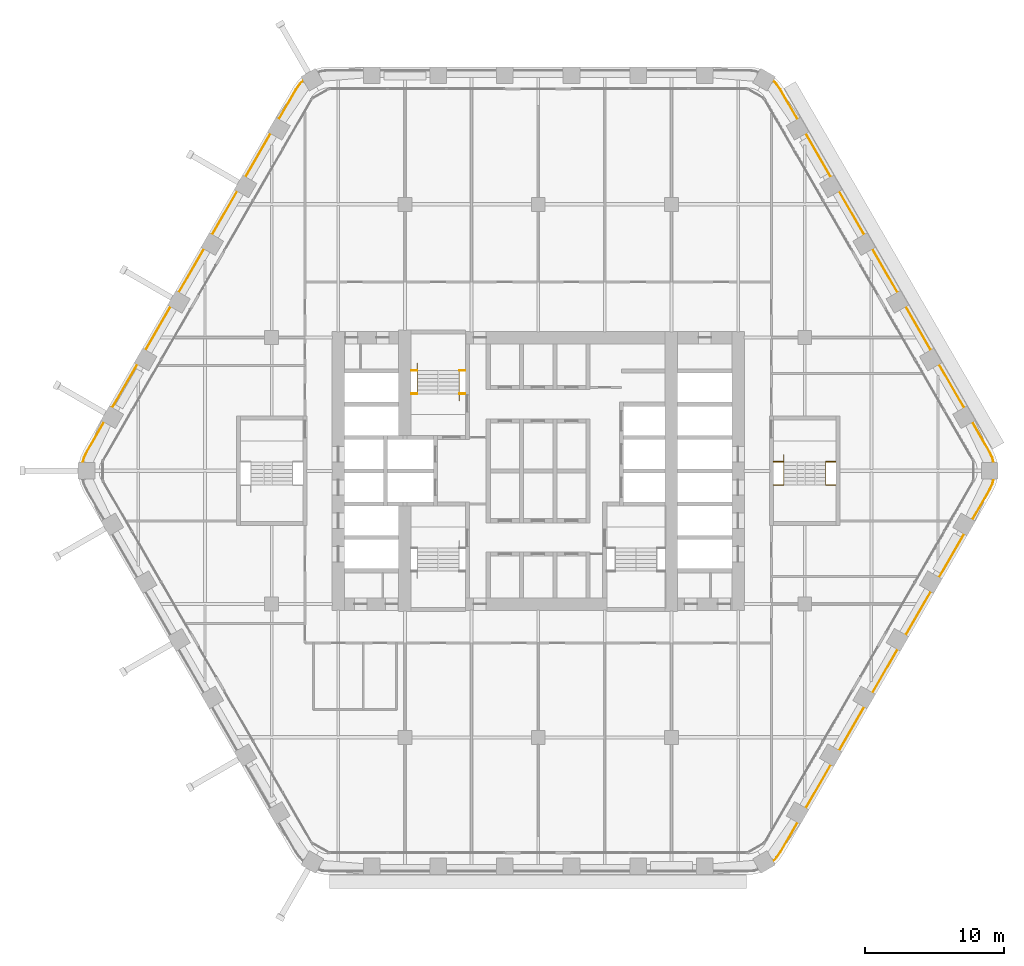
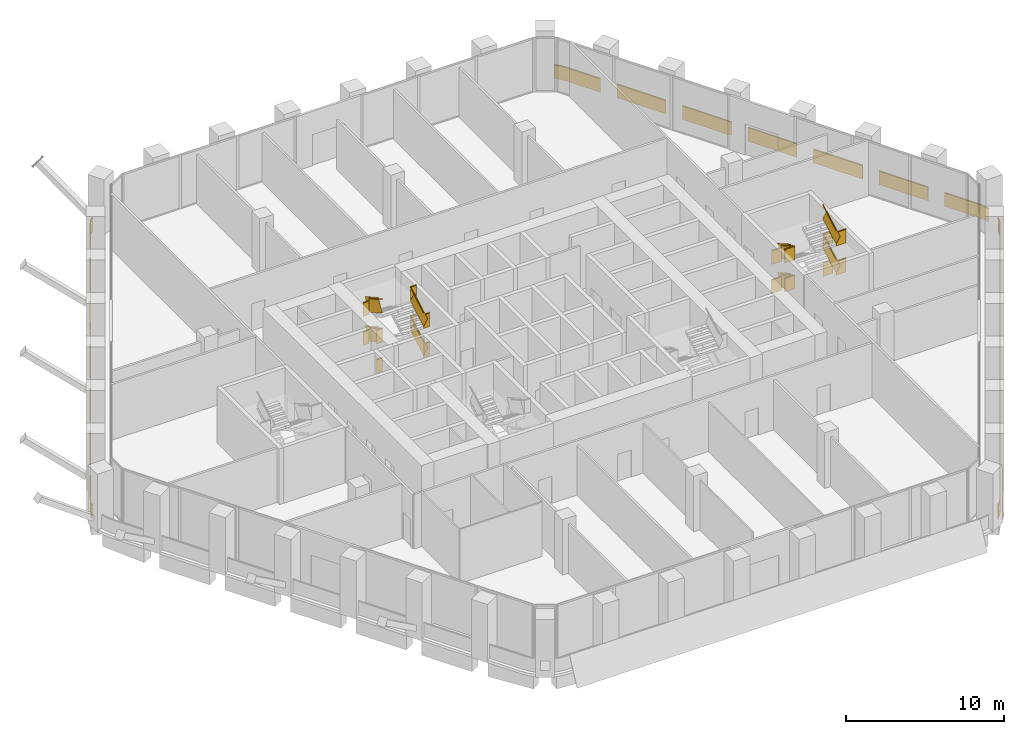
# One storey, part 26 of 27: 7 railings.
"""IFC4 building model written with IfcOpenShell, lengths in metres."""

from ifc_helpers import new_model, si_unit, direction, frame, frame_2d, origin, origin_2d, place, context, subcontext, project, spatial, rectangle, extrude, material, type_object, element, save


model = new_model("IFC4")

# Units and contexts
model_context = context("Model", 3, precision=1e-05, world=origin(), true_north=direction((0.0, 1.0)))
body_context = subcontext(model_context, "Body", "Model", "MODEL_VIEW")
ifc_project = project(units=[si_unit("LENGTHUNIT", "METRE"), si_unit("AREAUNIT", "SQUARE_METRE"), si_unit("VOLUMEUNIT", "CUBIC_METRE"), si_unit("PLANEANGLEUNIT", "RADIAN"), si_unit("MASSUNIT", "GRAM", prefix="KILO")], contexts=[model_context])

# Site, building, storey
site_placement = place(None, origin())
site = spatial("IfcSite", under=ifc_project, at=site_placement, CompositionType="ELEMENT")
building_placement = place(site_placement, origin())
building = spatial("IfcBuilding", under=site, at=building_placement, Name="Kolab Exchange Tower", CompositionType="ELEMENT")
storey_placement = place(building_placement, frame((0.0, 0.0, 118.39990234375)))
storey = spatial("IfcBuildingStorey", under=building, at=storey_placement, Name="L23", CompositionType="ELEMENT", Elevation=118.39990234375)

# Railings
ifc_material_1 = material(Name="Stainless steel 316", Category="steel")
railing_type_1 = type_object("IfcRailingType", Name="GUARD 1100", PredefinedType="GUARDRAIL", material=ifc_material_1)
railing_1_placement = place(storey_placement, frame((-9.14990234375, 5.550048828125, 0.0)))
element("IfcRailing", 1, at=railing_1_placement, inside=storey, type_object=railing_type_1, Name="Guard ST1", PredefinedType="GUARDRAIL", context=body_context, shape_type="SweptSolid", body=[
    extrude(rectangle(XDim=0.05, YDim=0.05, at=origin_2d()), frame((0.0, 0.0, 1.0751953125), z_axis=(1.0, 0.0, 0.0), x_axis=(0.0, 1.0, 0.0)), (0.0, 0.0, 1.0), 0.43994140625),
    extrude(rectangle(XDim=0.012, YDim=1.05009765625, at=frame_2d((0.0, 0.525146484375))), frame((0.0, 0.0, 0.0), z_axis=(1.0, 0.0, 0.0), x_axis=(0.0, 1.0, 0.0)), (0.0, 0.0, 1.0), 0.43994140625),
    extrude(rectangle(XDim=0.05, YDim=0.05, at=origin_2d()), frame((3.4599609375, 0.0, 1.0751953125), z_axis=(1.0, 0.0, 0.0), x_axis=(0.0, 1.0, 0.0)), (0.0, 0.0, 1.0), 0.43994140625),
    extrude(rectangle(XDim=0.012, YDim=1.05009765625, at=frame_2d((0.0, 0.525146484375))), frame((3.4599609375, 0.0, 0.0), z_axis=(1.0, 0.0, 0.0), x_axis=(0.0, 1.0, 0.0)), (0.0, 0.0, 1.0), 0.43994140625),
    extrude(rectangle(XDim=0.05, YDim=0.05, at=origin_2d()), frame((0.0, 1.679931640625, 2.2001953125), z_axis=(1.0, 0.0, 0.0), x_axis=(0.0, 1.0, 0.0)), (0.0, 0.0, 1.0), 0.43994140625),
    extrude(rectangle(XDim=0.012, YDim=1.05009765625, at=frame_2d((0.0, 0.525146484375))), frame((0.0, 1.679931640625, 1.125), z_axis=(1.0, 0.0, 0.0), x_axis=(0.0, 1.0, 0.0)), (0.0, 0.0, 1.0), 0.43994140625),
    extrude(rectangle(XDim=0.05, YDim=0.05, at=origin_2d()), frame((3.4599609375, 1.679931640625, 2.2001953125), z_axis=(1.0, 0.0, 0.0), x_axis=(0.0, 1.0, 0.0)), (0.0, 0.0, 1.0), 0.43994140625),
    extrude(rectangle(XDim=0.012, YDim=1.05009765625, at=frame_2d((0.0, 0.525146484375))), frame((3.4599609375, 1.679931640625, 1.125), z_axis=(1.0, 0.0, 0.0), x_axis=(0.0, 1.0, 0.0)), (0.0, 0.0, 1.0), 0.43994140625),
    extrude(rectangle(XDim=0.05, YDim=0.05, at=origin_2d()), frame((0.0, 0.0, 3.3251953125), z_axis=(1.0, 0.0, 0.0), x_axis=(0.0, 1.0, 0.0)), (0.0, 0.0, 1.0), 0.43994140625),
    extrude(rectangle(XDim=0.012, YDim=1.05009765625, at=frame_2d((0.0, 0.525146484375))), frame((0.0, 0.0, 2.25), z_axis=(1.0, 0.0, 0.0), x_axis=(0.0, 1.0, 0.0)), (0.0, 0.0, 1.0), 0.43994140625),
    extrude(rectangle(XDim=0.05, YDim=0.05, at=origin_2d()), frame((3.4599609375, 0.0, 3.3251953125), z_axis=(1.0, 0.0, 0.0), x_axis=(0.0, 1.0, 0.0)), (0.0, 0.0, 1.0), 0.43994140625),
    extrude(rectangle(XDim=0.012, YDim=1.05009765625, at=frame_2d((0.0, 0.525146484375))), frame((3.4599609375, 0.0, 2.25), z_axis=(1.0, 0.0, 0.0), x_axis=(0.0, 1.0, 0.0)), (0.0, 0.0, 1.0), 0.43994140625),
    extrude(rectangle(XDim=0.05, YDim=0.05, at=origin_2d()), frame((0.0, 1.679931640625, 4.4501953125), z_axis=(1.0, 0.0, 0.0), x_axis=(0.0, 1.0, 0.0)), (0.0, 0.0, 1.0), 0.43994140625),
    extrude(rectangle(XDim=0.012, YDim=1.05009765625, at=frame_2d((0.0, 0.525146484375))), frame((0.0, 1.679931640625, 3.375), z_axis=(1.0, 0.0, 0.0), x_axis=(0.0, 1.0, 0.0)), (0.0, 0.0, 1.0), 0.43994140625),
    extrude(rectangle(XDim=0.05, YDim=0.05, at=origin_2d()), frame((3.4599609375, 1.679931640625, 4.4501953125), z_axis=(1.0, 0.0, 0.0), x_axis=(0.0, 1.0, 0.0)), (0.0, 0.0, 1.0), 0.43994140625),
    extrude(rectangle(XDim=0.012, YDim=1.05009765625, at=frame_2d((0.0, 0.525146484375))), frame((3.4599609375, 1.679931640625, 3.375), z_axis=(1.0, 0.0, 0.0), x_axis=(0.0, 1.0, 0.0)), (0.0, 0.0, 1.0), 0.43994140625),
])
railing_2_placement = place(storey_placement, frame((-5.68994140625, 5.550048828125, 0.160888671875)))
element("IfcRailing", 2, at=railing_2_placement, inside=storey, type_object=railing_type_1, Name="Handrail guard ST1", PredefinedType="GUARDRAIL", context=body_context, shape_type="SweptSolid", body=[
    extrude(rectangle(XDim=0.05, YDim=0.05, at=origin_2d()), frame((0.0, 0.0, 1.0751953125), z_axis=(0.0, 0.867318599139, 0.497753400378), x_axis=(-1.0, 0.0, 0.0)), (0.0, 0.0, 1.0), 1.93701171875),
    extrude(rectangle(XDim=0.012, YDim=1.05009765625, at=frame_2d((0.0, 0.525146484375))), frame((0.0, 0.0, 0.0), z_axis=(0.0, 0.867318599139, 0.497753400378), x_axis=(-1.0, 0.0, 0.0)), (0.0, 0.0, 1.0), 1.93701171875),
    extrude(rectangle(XDim=0.05, YDim=0.05, at=origin_2d()), frame((-3.02001953125, 1.679931640625, 2.2001953125), z_axis=(0.0, -0.867318599139, 0.497753400378), x_axis=(1.0, 0.0, 0.0)), (0.0, 0.0, 1.0), 1.93701171875),
    extrude(rectangle(XDim=0.012, YDim=1.05009765625, at=frame_2d((0.0, 0.525146484375))), frame((-3.02001953125, 1.679931640625, 1.125), z_axis=(0.0, -0.867318599139, 0.497753400378), x_axis=(1.0, 0.0, 0.0)), (0.0, 0.0, 1.0), 1.93701171875),
    extrude(rectangle(XDim=0.05, YDim=0.05, at=origin_2d()), frame((0.0, 0.0, 3.3251953125), z_axis=(0.0, 0.867318599139, 0.497753400378), x_axis=(-1.0, 0.0, 0.0)), (0.0, 0.0, 1.0), 1.93701171875),
    extrude(rectangle(XDim=0.012, YDim=1.05009765625, at=frame_2d((0.0, 0.525146484375))), frame((0.0, 0.0, 2.25), z_axis=(0.0, 0.867318599139, 0.497753400378), x_axis=(-1.0, 0.0, 0.0)), (0.0, 0.0, 1.0), 1.93701171875),
    extrude(rectangle(XDim=0.05, YDim=0.05, at=origin_2d()), frame((-3.02001953125, 1.679931640625, 4.4501953125), z_axis=(0.0, -0.867318599139, 0.497753400378), x_axis=(1.0, 0.0, 0.0)), (0.0, 0.0, 1.0), 1.93701171875),
    extrude(rectangle(XDim=0.012, YDim=1.05009765625, at=frame_2d((0.0, 0.525146484375))), frame((-3.02001953125, 1.679931640625, 3.375), z_axis=(0.0, -0.867318599139, 0.497753400378), x_axis=(1.0, 0.0, 0.0)), (0.0, 0.0, 1.0), 1.93701171875),
])
railing_3_placement = place(storey_placement, frame((16.949951171875, 0.64990234375, 0.0)))
element("IfcRailing", 3, at=railing_3_placement, inside=storey, type_object=railing_type_1, Name="Guard ST4", PredefinedType="GUARDRAIL", context=body_context, shape_type="SweptSolid", body=[
    extrude(rectangle(XDim=0.05, YDim=0.05, at=origin_2d()), frame((0.0, 0.0, 1.0751953125), z_axis=(1.0, 0.0, 0.0), x_axis=(0.0, 1.0, 0.0)), (0.0, 0.0, 1.0), 0.739990234375),
    extrude(rectangle(XDim=0.012, YDim=1.05009765625, at=frame_2d((0.0, 0.525146484375))), frame((0.0, 0.0, 0.0), z_axis=(1.0, 0.0, 0.0), x_axis=(0.0, 1.0, 0.0)), (0.0, 0.0, 1.0), 0.739990234375),
    extrude(rectangle(XDim=0.05, YDim=0.05, at=origin_2d()), frame((3.760009765625, 0.0, 1.0751953125), z_axis=(1.0, 0.0, 0.0), x_axis=(0.0, 1.0, 0.0)), (0.0, 0.0, 1.0), 0.739990234375),
    extrude(rectangle(XDim=0.012, YDim=1.05009765625, at=frame_2d((0.0, 0.525146484375))), frame((3.760009765625, 0.0, 0.0), z_axis=(1.0, 0.0, 0.0), x_axis=(0.0, 1.0, 0.0)), (0.0, 0.0, 1.0), 0.739990234375),
    extrude(rectangle(XDim=0.05, YDim=0.05, at=origin_2d()), frame((0.0, -1.679931640625, 2.2001953125), z_axis=(1.0, 0.0, 0.0), x_axis=(0.0, 1.0, 0.0)), (0.0, 0.0, 1.0), 0.739990234375),
    extrude(rectangle(XDim=0.012, YDim=1.05009765625, at=frame_2d((0.0, 0.525146484375))), frame((0.0, -1.679931640625, 1.125), z_axis=(1.0, 0.0, 0.0), x_axis=(0.0, 1.0, 0.0)), (0.0, 0.0, 1.0), 0.739990234375),
    extrude(rectangle(XDim=0.05, YDim=0.05, at=origin_2d()), frame((3.760009765625, -1.679931640625, 2.2001953125), z_axis=(1.0, 0.0, 0.0), x_axis=(0.0, 1.0, 0.0)), (0.0, 0.0, 1.0), 0.739990234375),
    extrude(rectangle(XDim=0.012, YDim=1.05009765625, at=frame_2d((0.0, 0.525146484375))), frame((3.760009765625, -1.679931640625, 1.125), z_axis=(1.0, 0.0, 0.0), x_axis=(0.0, 1.0, 0.0)), (0.0, 0.0, 1.0), 0.739990234375),
    extrude(rectangle(XDim=0.05, YDim=0.05, at=origin_2d()), frame((0.0, 0.0, 3.3251953125), z_axis=(1.0, 0.0, 0.0), x_axis=(0.0, 1.0, 0.0)), (0.0, 0.0, 1.0), 0.739990234375),
    extrude(rectangle(XDim=0.012, YDim=1.05009765625, at=frame_2d((0.0, 0.525146484375))), frame((0.0, 0.0, 2.25), z_axis=(1.0, 0.0, 0.0), x_axis=(0.0, 1.0, 0.0)), (0.0, 0.0, 1.0), 0.739990234375),
    extrude(rectangle(XDim=0.05, YDim=0.05, at=origin_2d()), frame((3.760009765625, 0.0, 3.3251953125), z_axis=(1.0, 0.0, 0.0), x_axis=(0.0, 1.0, 0.0)), (0.0, 0.0, 1.0), 0.739990234375),
    extrude(rectangle(XDim=0.012, YDim=1.05009765625, at=frame_2d((0.0, 0.525146484375))), frame((3.760009765625, 0.0, 2.25), z_axis=(1.0, 0.0, 0.0), x_axis=(0.0, 1.0, 0.0)), (0.0, 0.0, 1.0), 0.739990234375),
    extrude(rectangle(XDim=0.05, YDim=0.05, at=origin_2d()), frame((0.0, -1.679931640625, 4.4501953125), z_axis=(1.0, 0.0, 0.0), x_axis=(0.0, 1.0, 0.0)), (0.0, 0.0, 1.0), 0.739990234375),
    extrude(rectangle(XDim=0.012, YDim=1.05009765625, at=frame_2d((0.0, 0.525146484375))), frame((0.0, -1.679931640625, 3.375), z_axis=(1.0, 0.0, 0.0), x_axis=(0.0, 1.0, 0.0)), (0.0, 0.0, 1.0), 0.739990234375),
    extrude(rectangle(XDim=0.05, YDim=0.05, at=origin_2d()), frame((3.760009765625, -1.679931640625, 4.4501953125), z_axis=(1.0, 0.0, 0.0), x_axis=(0.0, 1.0, 0.0)), (0.0, 0.0, 1.0), 0.739990234375),
    extrude(rectangle(XDim=0.012, YDim=1.05009765625, at=frame_2d((0.0, 0.525146484375))), frame((3.760009765625, -1.679931640625, 3.375), z_axis=(1.0, 0.0, 0.0), x_axis=(0.0, 1.0, 0.0)), (0.0, 0.0, 1.0), 0.739990234375),
])
railing_4_placement = place(storey_placement, frame((17.68994140625, 0.64990234375, 0.160888671875)))
element("IfcRailing", 4, at=railing_4_placement, inside=storey, type_object=railing_type_1, Name="Handrail guard ST4", PredefinedType="GUARDRAIL", context=body_context, shape_type="SweptSolid", body=[
    extrude(rectangle(XDim=0.05, YDim=0.05, at=origin_2d()), frame((0.0, 0.0, 1.0751953125), z_axis=(0.0, -0.867318599139, 0.497753400378), x_axis=(1.0, 0.0, 0.0)), (0.0, 0.0, 1.0), 1.93701171875),
    extrude(rectangle(XDim=0.012, YDim=1.05009765625, at=frame_2d((0.0, 0.525146484375))), frame((0.0, 0.0, 0.0), z_axis=(0.0, -0.867318599139, 0.497753400378), x_axis=(1.0, 0.0, 0.0)), (0.0, 0.0, 1.0), 1.93701171875),
    extrude(rectangle(XDim=0.05, YDim=0.05, at=origin_2d()), frame((3.02001953125, -1.679931640625, 2.2001953125), z_axis=(0.0, 0.867318599139, 0.497753400378), x_axis=(-1.0, 0.0, 0.0)), (0.0, 0.0, 1.0), 1.93701171875),
    extrude(rectangle(XDim=0.012, YDim=1.05009765625, at=frame_2d((0.0, 0.525146484375))), frame((3.02001953125, -1.679931640625, 1.125), z_axis=(0.0, 0.867318599139, 0.497753400378), x_axis=(-1.0, 0.0, 0.0)), (0.0, 0.0, 1.0), 1.93701171875),
    extrude(rectangle(XDim=0.05, YDim=0.05, at=origin_2d()), frame((0.0, 0.0, 3.3251953125), z_axis=(0.0, -0.867318599139, 0.497753400378), x_axis=(1.0, 0.0, 0.0)), (0.0, 0.0, 1.0), 1.93701171875),
    extrude(rectangle(XDim=0.012, YDim=1.05009765625, at=frame_2d((0.0, 0.525146484375))), frame((0.0, 0.0, 2.25), z_axis=(0.0, -0.867318599139, 0.497753400378), x_axis=(1.0, 0.0, 0.0)), (0.0, 0.0, 1.0), 1.93701171875),
    extrude(rectangle(XDim=0.05, YDim=0.05, at=origin_2d()), frame((3.02001953125, -1.679931640625, 4.4501953125), z_axis=(0.0, 0.867318599139, 0.497753400378), x_axis=(-1.0, 0.0, 0.0)), (0.0, 0.0, 1.0), 1.93701171875),
    extrude(rectangle(XDim=0.012, YDim=1.05009765625, at=frame_2d((0.0, 0.525146484375))), frame((3.02001953125, -1.679931640625, 3.375), z_axis=(0.0, 0.867318599139, 0.497753400378), x_axis=(-1.0, 0.0, 0.0)), (0.0, 0.0, 1.0), 1.93701171875),
])
ifc_material_2 = material(Name="Steel S235", Category="steel")
railing_type_2 = type_object("IfcRailingType", Name="GUARD 1100 GLASS BALUSTRADE AND STEEL TOP RAIL", PredefinedType="GUARDRAIL", material=ifc_material_2)
railing_5_placement = place(storey_placement, frame((32.81298828125, 0.593994140625, 0.0)))
element("IfcRailing", 5, at=railing_5_placement, inside=storey, type_object=railing_type_2, Name="Guard", PredefinedType="GUARDRAIL", context=body_context, shape_type="SweptSolid", body=[
    extrude(rectangle(XDim=0.05, YDim=0.05, at=origin_2d()), frame((0.0, 0.0, 1.0751953125), z_axis=(-0.259144041577, 0.965838685141, 0.0), x_axis=(-0.965838685141, -0.259144041577, 0.0)), (0.0, 0.0, 1.0), 0.35888671875),
    extrude(rectangle(XDim=0.012, YDim=1.05009765625, at=frame_2d((0.0, 0.525146484375))), frame((0.0, 0.0, 0.0), z_axis=(-0.259144041577, 0.965838685141, 0.0), x_axis=(-0.965838685141, -0.259144041577, 0.0)), (0.0, 0.0, 1.0), 0.35888671875),
    extrude(rectangle(XDim=0.05, YDim=0.05, at=origin_2d()), frame((-0.093017578125, 0.3466796875, 1.0751953125), z_axis=(-0.422383329074, 0.906417300872, 0.0), x_axis=(-0.906417300872, -0.422383329074, 0.0)), (0.0, 0.0, 1.0), 0.479248046875),
    extrude(rectangle(XDim=0.012, YDim=1.05009765625, at=frame_2d((0.0, 0.525146484375))), frame((-0.093017578125, 0.3466796875, 0.0), z_axis=(-0.422383329074, 0.906417300872, 0.0), x_axis=(-0.906417300872, -0.422383329074, 0.0)), (0.0, 0.0, 1.0), 0.479248046875),
    extrude(rectangle(XDim=0.05, YDim=0.05, at=origin_2d()), frame((-0.29541015625, 0.781005859375, 1.0751953125), z_axis=(-0.500064973171, 0.865987888257, 0.0), x_axis=(-0.865987888257, -0.500064973171, 0.0)), (0.0, 0.0, 1.0), 2.468017578125),
    extrude(rectangle(XDim=0.012, YDim=1.05009765625, at=frame_2d((0.0, 0.525146484375))), frame((-0.29541015625, 0.781005859375, 0.0), z_axis=(-0.500064973171, 0.865987888257, 0.0), x_axis=(-0.865987888257, -0.500064973171, 0.0)), (0.0, 0.0, 1.0), 2.468017578125),
    extrude(rectangle(XDim=0.05, YDim=0.05, at=origin_2d()), frame((-2.12939453125, 3.95751953125, 1.0751953125), z_axis=(-0.500012057535, 0.866018442252, 0.0), x_axis=(-0.866018442252, -0.500012057535, 0.0)), (0.0, 0.0, 1.0), 3.60009765625),
    extrude(rectangle(XDim=0.012, YDim=1.05009765625, at=frame_2d((0.0, 0.525146484375))), frame((-2.12939453125, 3.95751953125, 0.0), z_axis=(-0.500012057535, 0.866018442252, 0.0), x_axis=(-0.866018442252, -0.500012057535, 0.0)), (0.0, 0.0, 1.0), 3.60009765625),
    extrude(rectangle(XDim=0.05, YDim=0.05, at=origin_2d()), frame((-4.529541015625, 8.114501953125, 1.0751953125), z_axis=(-0.500012057535, 0.866018442252, 0.0), x_axis=(-0.866018442252, -0.500012057535, 0.0)), (0.0, 0.0, 1.0), 3.60009765625),
    extrude(rectangle(XDim=0.012, YDim=1.05009765625, at=frame_2d((0.0, 0.525146484375))), frame((-4.529541015625, 8.114501953125, 0.0), z_axis=(-0.500012057535, 0.866018442252, 0.0), x_axis=(-0.866018442252, -0.500012057535, 0.0)), (0.0, 0.0, 1.0), 3.60009765625),
    extrude(rectangle(XDim=0.05, YDim=0.05, at=origin_2d()), frame((-6.929443359375, 12.271484375, 1.0751953125), z_axis=(-0.500012057535, 0.866018442252, 0.0), x_axis=(-0.866018442252, -0.500012057535, 0.0)), (0.0, 0.0, 1.0), 3.60009765625),
    extrude(rectangle(XDim=0.012, YDim=1.05009765625, at=frame_2d((0.0, 0.525146484375))), frame((-6.929443359375, 12.271484375, 0.0), z_axis=(-0.500012057535, 0.866018442252, 0.0), x_axis=(-0.866018442252, -0.500012057535, 0.0)), (0.0, 0.0, 1.0), 3.60009765625),
    extrude(rectangle(XDim=0.05, YDim=0.05, at=origin_2d()), frame((-9.32958984375, 16.42822265625, 1.0751953125), z_axis=(-0.499961193289, 0.866047807691, 0.0), x_axis=(-0.866047807691, -0.499961193289, 0.0)), (0.0, 0.0, 1.0), 3.599853515625),
    extrude(rectangle(XDim=0.012, YDim=1.05009765625, at=frame_2d((0.0, 0.525146484375))), frame((-9.32958984375, 16.42822265625, 0.0), z_axis=(-0.499961193289, 0.866047807691, 0.0), x_axis=(-0.866047807691, -0.499961193289, 0.0)), (0.0, 0.0, 1.0), 3.599853515625),
    extrude(rectangle(XDim=0.05, YDim=0.05, at=origin_2d()), frame((-11.7294921875, 20.585205078125, 1.0751953125), z_axis=(-0.500012057535, 0.866018442252, 0.0), x_axis=(-0.866018442252, -0.500012057535, 0.0)), (0.0, 0.0, 1.0), 3.60009765625),
    extrude(rectangle(XDim=0.012, YDim=1.05009765625, at=frame_2d((0.0, 0.525146484375))), frame((-11.7294921875, 20.585205078125, 0.0), z_axis=(-0.500012057535, 0.866018442252, 0.0), x_axis=(-0.866018442252, -0.500012057535, 0.0)), (0.0, 0.0, 1.0), 3.60009765625),
    extrude(rectangle(XDim=0.05, YDim=0.05, at=origin_2d()), frame((-14.12939453125, 24.7421875, 1.0751953125), z_axis=(-0.500064973171, 0.865987888257, 0.0), x_axis=(-0.865987888257, -0.500064973171, 0.0)), (0.0, 0.0, 1.0), 2.468017578125),
    extrude(rectangle(XDim=0.012, YDim=1.05009765625, at=frame_2d((0.0, 0.525146484375))), frame((-14.12939453125, 24.7421875, 0.0), z_axis=(-0.500064973171, 0.865987888257, 0.0), x_axis=(-0.865987888257, -0.500064973171, 0.0)), (0.0, 0.0, 1.0), 2.468017578125),
    extrude(rectangle(XDim=0.05, YDim=0.05, at=origin_2d()), frame((-15.363525390625, 26.87939453125, 1.0751953125), z_axis=(-0.573359816273, 0.819303680624, 0.0), x_axis=(-0.819303680624, -0.573359816273, 0.0)), (0.0, 0.0, 1.0), 0.4794921875),
    extrude(rectangle(XDim=0.012, YDim=1.05009765625, at=frame_2d((0.0, 0.525146484375))), frame((-15.363525390625, 26.87939453125, 0.0), z_axis=(-0.573359816273, 0.819303680624, 0.0), x_axis=(-0.819303680624, -0.573359816273, 0.0)), (0.0, 0.0, 1.0), 0.4794921875),
    extrude(rectangle(XDim=0.05, YDim=0.05, at=origin_2d()), frame((-15.638427734375, 27.272216796875, 1.0751953125), z_axis=(-0.707106781187, 0.707106781187, 0.0), x_axis=(-0.707106781187, -0.707106781187, 0.0)), (0.0, 0.0, 1.0), 0.358642578125),
    extrude(rectangle(XDim=0.012, YDim=1.05009765625, at=frame_2d((0.0, 0.525146484375))), frame((-15.638427734375, 27.272216796875, 0.0), z_axis=(-0.707106781187, 0.707106781187, 0.0), x_axis=(-0.707106781187, -0.707106781187, 0.0)), (0.0, 0.0, 1.0), 0.358642578125),
])
railing_6_placement = place(storey_placement, frame((16.9208984375, -28.119873046875, 0.0)))
element("IfcRailing", 6, at=railing_6_placement, inside=storey, type_object=railing_type_2, Name="Guard", PredefinedType="GUARDRAIL", context=body_context, shape_type="SweptSolid", body=[
    extrude(rectangle(XDim=0.05, YDim=0.05, at=origin_2d()), frame((0.0, 0.0, 1.0751953125), z_axis=(0.707106781187, 0.707106781187, 0.0), x_axis=(-0.707106781187, 0.707106781187, 0.0)), (0.0, 0.0, 1.0), 0.358642578125),
    extrude(rectangle(XDim=0.012, YDim=1.05009765625, at=frame_2d((0.0, 0.525146484375))), frame((0.0, 0.0, 0.0), z_axis=(0.707106781187, 0.707106781187, 0.0), x_axis=(-0.707106781187, 0.707106781187, 0.0)), (0.0, 0.0, 1.0), 0.358642578125),
    extrude(rectangle(XDim=0.05, YDim=0.05, at=origin_2d()), frame((0.253662109375, 0.253662109375, 1.0751953125), z_axis=(0.573359816273, 0.819303680624, 0.0), x_axis=(-0.819303680624, 0.573359816273, 0.0)), (0.0, 0.0, 1.0), 0.4794921875),
    extrude(rectangle(XDim=0.012, YDim=1.05009765625, at=frame_2d((0.0, 0.525146484375))), frame((0.253662109375, 0.253662109375, 0.0), z_axis=(0.573359816273, 0.819303680624, 0.0), x_axis=(-0.819303680624, 0.573359816273, 0.0)), (0.0, 0.0, 1.0), 0.4794921875),
    extrude(rectangle(XDim=0.05, YDim=0.05, at=origin_2d()), frame((0.528564453125, 0.646484375, 1.0751953125), z_axis=(0.500064973171, 0.865987888257, 0.0), x_axis=(-0.865987888257, 0.500064973171, 0.0)), (0.0, 0.0, 1.0), 2.468017578125),
    extrude(rectangle(XDim=0.012, YDim=1.05009765625, at=frame_2d((0.0, 0.525146484375))), frame((0.528564453125, 0.646484375, 0.0), z_axis=(0.500064973171, 0.865987888257, 0.0), x_axis=(-0.865987888257, 0.500064973171, 0.0)), (0.0, 0.0, 1.0), 2.468017578125),
    extrude(rectangle(XDim=0.05, YDim=0.05, at=origin_2d()), frame((2.362548828125, 3.822998046875, 1.0751953125), z_axis=(0.500012057535, 0.866018442252, 0.0), x_axis=(-0.866018442252, 0.500012057535, 0.0)), (0.0, 0.0, 1.0), 3.60009765625),
    extrude(rectangle(XDim=0.012, YDim=1.05009765625, at=frame_2d((0.0, 0.525146484375))), frame((2.362548828125, 3.822998046875, 0.0), z_axis=(0.500012057535, 0.866018442252, 0.0), x_axis=(-0.866018442252, 0.500012057535, 0.0)), (0.0, 0.0, 1.0), 3.60009765625),
    extrude(rectangle(XDim=0.05, YDim=0.05, at=origin_2d()), frame((4.7626953125, 7.97998046875, 1.0751953125), z_axis=(0.499961193289, 0.866047807691, 0.0), x_axis=(-0.866047807691, 0.499961193289, 0.0)), (0.0, 0.0, 1.0), 3.599853515625),
    extrude(rectangle(XDim=0.012, YDim=1.05009765625, at=frame_2d((0.0, 0.525146484375))), frame((4.7626953125, 7.97998046875, 0.0), z_axis=(0.499961193289, 0.866047807691, 0.0), x_axis=(-0.866047807691, 0.499961193289, 0.0)), (0.0, 0.0, 1.0), 3.599853515625),
    extrude(rectangle(XDim=0.05, YDim=0.05, at=origin_2d()), frame((7.16259765625, 12.13671875, 1.0751953125), z_axis=(0.500012057535, 0.866018442252, 0.0), x_axis=(-0.866018442252, 0.500012057535, 0.0)), (0.0, 0.0, 1.0), 3.60009765625),
    extrude(rectangle(XDim=0.012, YDim=1.05009765625, at=frame_2d((0.0, 0.525146484375))), frame((7.16259765625, 12.13671875, 0.0), z_axis=(0.500012057535, 0.866018442252, 0.0), x_axis=(-0.866018442252, 0.500012057535, 0.0)), (0.0, 0.0, 1.0), 3.60009765625),
    extrude(rectangle(XDim=0.05, YDim=0.05, at=origin_2d()), frame((9.5625, 16.293701171875, 1.0751953125), z_axis=(0.500012057535, 0.866018442252, 0.0), x_axis=(-0.866018442252, 0.500012057535, 0.0)), (0.0, 0.0, 1.0), 3.60009765625),
    extrude(rectangle(XDim=0.012, YDim=1.05009765625, at=frame_2d((0.0, 0.525146484375))), frame((9.5625, 16.293701171875, 0.0), z_axis=(0.500012057535, 0.866018442252, 0.0), x_axis=(-0.866018442252, 0.500012057535, 0.0)), (0.0, 0.0, 1.0), 3.60009765625),
    extrude(rectangle(XDim=0.05, YDim=0.05, at=origin_2d()), frame((11.962646484375, 20.45068359375, 1.0751953125), z_axis=(0.500012057535, 0.866018442252, 0.0), x_axis=(-0.866018442252, 0.500012057535, 0.0)), (0.0, 0.0, 1.0), 3.60009765625),
    extrude(rectangle(XDim=0.012, YDim=1.05009765625, at=frame_2d((0.0, 0.525146484375))), frame((11.962646484375, 20.45068359375, 0.0), z_axis=(0.500012057535, 0.866018442252, 0.0), x_axis=(-0.866018442252, 0.500012057535, 0.0)), (0.0, 0.0, 1.0), 3.60009765625),
    extrude(rectangle(XDim=0.05, YDim=0.05, at=origin_2d()), frame((14.362548828125, 24.607666015625, 1.0751953125), z_axis=(0.500064973171, 0.865987888257, 0.0), x_axis=(-0.865987888257, 0.500064973171, 0.0)), (0.0, 0.0, 1.0), 2.468017578125),
    extrude(rectangle(XDim=0.012, YDim=1.05009765625, at=frame_2d((0.0, 0.525146484375))), frame((14.362548828125, 24.607666015625, 0.0), z_axis=(0.500064973171, 0.865987888257, 0.0), x_axis=(-0.865987888257, 0.500064973171, 0.0)), (0.0, 0.0, 1.0), 2.468017578125),
    extrude(rectangle(XDim=0.05, YDim=0.05, at=origin_2d()), frame((15.5966796875, 26.744873046875, 1.0751953125), z_axis=(0.422383329074, 0.906417300872, 0.0), x_axis=(-0.906417300872, 0.422383329074, 0.0)), (0.0, 0.0, 1.0), 0.479248046875),
    extrude(rectangle(XDim=0.012, YDim=1.05009765625, at=frame_2d((0.0, 0.525146484375))), frame((15.5966796875, 26.744873046875, 0.0), z_axis=(0.422383329074, 0.906417300872, 0.0), x_axis=(-0.906417300872, 0.422383329074, 0.0)), (0.0, 0.0, 1.0), 0.479248046875),
    extrude(rectangle(XDim=0.05, YDim=0.05, at=origin_2d()), frame((15.799072265625, 27.17919921875, 1.0751953125), z_axis=(0.259144041577, 0.965838685141, 0.0), x_axis=(-0.965838685141, 0.259144041577, 0.0)), (0.0, 0.0, 1.0), 0.35888671875),
    extrude(rectangle(XDim=0.012, YDim=1.05009765625, at=frame_2d((0.0, 0.525146484375))), frame((15.799072265625, 27.17919921875, 0.0), z_axis=(0.259144041577, 0.965838685141, 0.0), x_axis=(-0.965838685141, 0.259144041577, 0.0)), (0.0, 0.0, 1.0), 0.35888671875),
])
railing_7_placement = place(storey_placement, frame((-16.9208984375, 28.119873046875, 0.0)))
element("IfcRailing", 7, at=railing_7_placement, inside=storey, type_object=railing_type_2, Name="Guard", PredefinedType="GUARDRAIL", context=body_context, shape_type="SweptSolid", body=[
    extrude(rectangle(XDim=0.05, YDim=0.05, at=origin_2d()), frame((0.0, 0.0, 1.0751953125), z_axis=(-0.707106781187, -0.707106781187, 0.0), x_axis=(0.707106781187, -0.707106781187, 0.0)), (0.0, 0.0, 1.0), 0.358642578125),
    extrude(rectangle(XDim=0.012, YDim=1.05009765625, at=frame_2d((0.0, 0.525146484375))), frame((0.0, 0.0, 0.0), z_axis=(-0.707106781187, -0.707106781187, 0.0), x_axis=(0.707106781187, -0.707106781187, 0.0)), (0.0, 0.0, 1.0), 0.358642578125),
    extrude(rectangle(XDim=0.05, YDim=0.05, at=origin_2d()), frame((-0.253662109375, -0.253662109375, 1.0751953125), z_axis=(-0.573359816273, -0.819303680624, 0.0), x_axis=(0.819303680624, -0.573359816273, 0.0)), (0.0, 0.0, 1.0), 0.4794921875),
    extrude(rectangle(XDim=0.012, YDim=1.05009765625, at=frame_2d((0.0, 0.525146484375))), frame((-0.253662109375, -0.253662109375, 0.0), z_axis=(-0.573359816273, -0.819303680624, 0.0), x_axis=(0.819303680624, -0.573359816273, 0.0)), (0.0, 0.0, 1.0), 0.4794921875),
    extrude(rectangle(XDim=0.05, YDim=0.05, at=origin_2d()), frame((-0.528564453125, -0.646484375, 1.0751953125), z_axis=(-0.500064973171, -0.865987888257, 0.0), x_axis=(0.865987888257, -0.500064973171, 0.0)), (0.0, 0.0, 1.0), 2.468017578125),
    extrude(rectangle(XDim=0.012, YDim=1.05009765625, at=frame_2d((0.0, 0.525146484375))), frame((-0.528564453125, -0.646484375, 0.0), z_axis=(-0.500064973171, -0.865987888257, 0.0), x_axis=(0.865987888257, -0.500064973171, 0.0)), (0.0, 0.0, 1.0), 2.468017578125),
    extrude(rectangle(XDim=0.05, YDim=0.05, at=origin_2d()), frame((-2.362548828125, -3.822998046875, 1.0751953125), z_axis=(-0.500012057535, -0.866018442252, 0.0), x_axis=(0.866018442252, -0.500012057535, 0.0)), (0.0, 0.0, 1.0), 3.60009765625),
    extrude(rectangle(XDim=0.012, YDim=1.05009765625, at=frame_2d((0.0, 0.525146484375))), frame((-2.362548828125, -3.822998046875, 0.0), z_axis=(-0.500012057535, -0.866018442252, 0.0), x_axis=(0.866018442252, -0.500012057535, 0.0)), (0.0, 0.0, 1.0), 3.60009765625),
    extrude(rectangle(XDim=0.05, YDim=0.05, at=origin_2d()), frame((-4.7626953125, -7.97998046875, 1.0751953125), z_axis=(-0.499961193289, -0.866047807691, 0.0), x_axis=(0.866047807691, -0.499961193289, 0.0)), (0.0, 0.0, 1.0), 3.599853515625),
    extrude(rectangle(XDim=0.012, YDim=1.05009765625, at=frame_2d((0.0, 0.525146484375))), frame((-4.7626953125, -7.97998046875, 0.0), z_axis=(-0.499961193289, -0.866047807691, 0.0), x_axis=(0.866047807691, -0.499961193289, 0.0)), (0.0, 0.0, 1.0), 3.599853515625),
    extrude(rectangle(XDim=0.05, YDim=0.05, at=origin_2d()), frame((-7.16259765625, -12.13671875, 1.0751953125), z_axis=(-0.500012057535, -0.866018442252, 0.0), x_axis=(0.866018442252, -0.500012057535, 0.0)), (0.0, 0.0, 1.0), 3.60009765625),
    extrude(rectangle(XDim=0.012, YDim=1.05009765625, at=frame_2d((0.0, 0.525146484375))), frame((-7.16259765625, -12.13671875, 0.0), z_axis=(-0.500012057535, -0.866018442252, 0.0), x_axis=(0.866018442252, -0.500012057535, 0.0)), (0.0, 0.0, 1.0), 3.60009765625),
    extrude(rectangle(XDim=0.05, YDim=0.05, at=origin_2d()), frame((-9.5625, -16.293701171875, 1.0751953125), z_axis=(-0.500012057535, -0.866018442252, 0.0), x_axis=(0.866018442252, -0.500012057535, 0.0)), (0.0, 0.0, 1.0), 3.60009765625),
    extrude(rectangle(XDim=0.012, YDim=1.05009765625, at=frame_2d((0.0, 0.525146484375))), frame((-9.5625, -16.293701171875, 0.0), z_axis=(-0.500012057535, -0.866018442252, 0.0), x_axis=(0.866018442252, -0.500012057535, 0.0)), (0.0, 0.0, 1.0), 3.60009765625),
    extrude(rectangle(XDim=0.05, YDim=0.05, at=origin_2d()), frame((-11.962646484375, -20.45068359375, 1.0751953125), z_axis=(-0.500012057535, -0.866018442252, 0.0), x_axis=(0.866018442252, -0.500012057535, 0.0)), (0.0, 0.0, 1.0), 3.60009765625),
    extrude(rectangle(XDim=0.012, YDim=1.05009765625, at=frame_2d((0.0, 0.525146484375))), frame((-11.962646484375, -20.45068359375, 0.0), z_axis=(-0.500012057535, -0.866018442252, 0.0), x_axis=(0.866018442252, -0.500012057535, 0.0)), (0.0, 0.0, 1.0), 3.60009765625),
    extrude(rectangle(XDim=0.05, YDim=0.05, at=origin_2d()), frame((-14.362548828125, -24.607666015625, 1.0751953125), z_axis=(-0.500064973171, -0.865987888257, 0.0), x_axis=(0.865987888257, -0.500064973171, 0.0)), (0.0, 0.0, 1.0), 2.468017578125),
    extrude(rectangle(XDim=0.012, YDim=1.05009765625, at=frame_2d((0.0, 0.525146484375))), frame((-14.362548828125, -24.607666015625, 0.0), z_axis=(-0.500064973171, -0.865987888257, 0.0), x_axis=(0.865987888257, -0.500064973171, 0.0)), (0.0, 0.0, 1.0), 2.468017578125),
    extrude(rectangle(XDim=0.05, YDim=0.05, at=origin_2d()), frame((-15.5966796875, -26.744873046875, 1.0751953125), z_axis=(-0.422383329074, -0.906417300872, 0.0), x_axis=(0.906417300872, -0.422383329074, 0.0)), (0.0, 0.0, 1.0), 0.479248046875),
    extrude(rectangle(XDim=0.012, YDim=1.05009765625, at=frame_2d((0.0, 0.525146484375))), frame((-15.5966796875, -26.744873046875, 0.0), z_axis=(-0.422383329074, -0.906417300872, 0.0), x_axis=(0.906417300872, -0.422383329074, 0.0)), (0.0, 0.0, 1.0), 0.479248046875),
    extrude(rectangle(XDim=0.05, YDim=0.05, at=origin_2d()), frame((-15.799072265625, -27.17919921875, 1.0751953125), z_axis=(-0.259144041577, -0.965838685141, 0.0), x_axis=(0.965838685141, -0.259144041577, 0.0)), (0.0, 0.0, 1.0), 0.35888671875),
    extrude(rectangle(XDim=0.012, YDim=1.05009765625, at=frame_2d((0.0, 0.525146484375))), frame((-15.799072265625, -27.17919921875, 0.0), z_axis=(-0.259144041577, -0.965838685141, 0.0), x_axis=(0.965838685141, -0.259144041577, 0.0)), (0.0, 0.0, 1.0), 0.35888671875),
])

save(model, "model.ifc")
